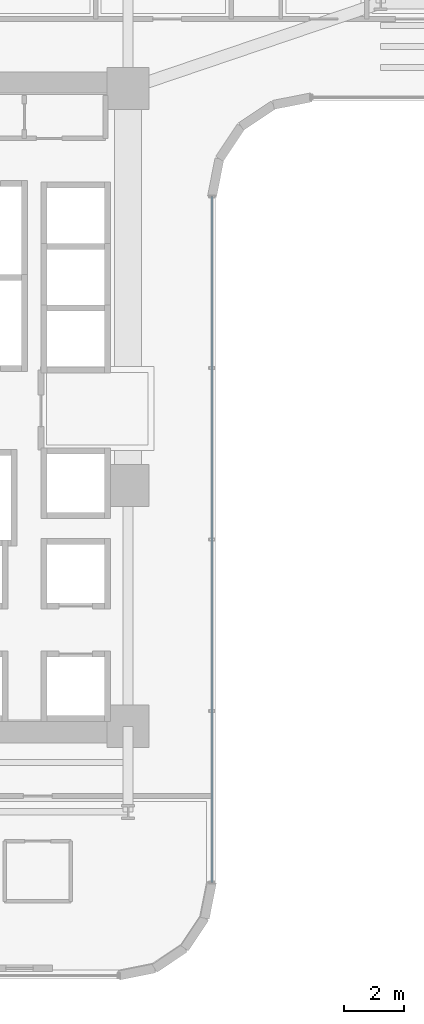
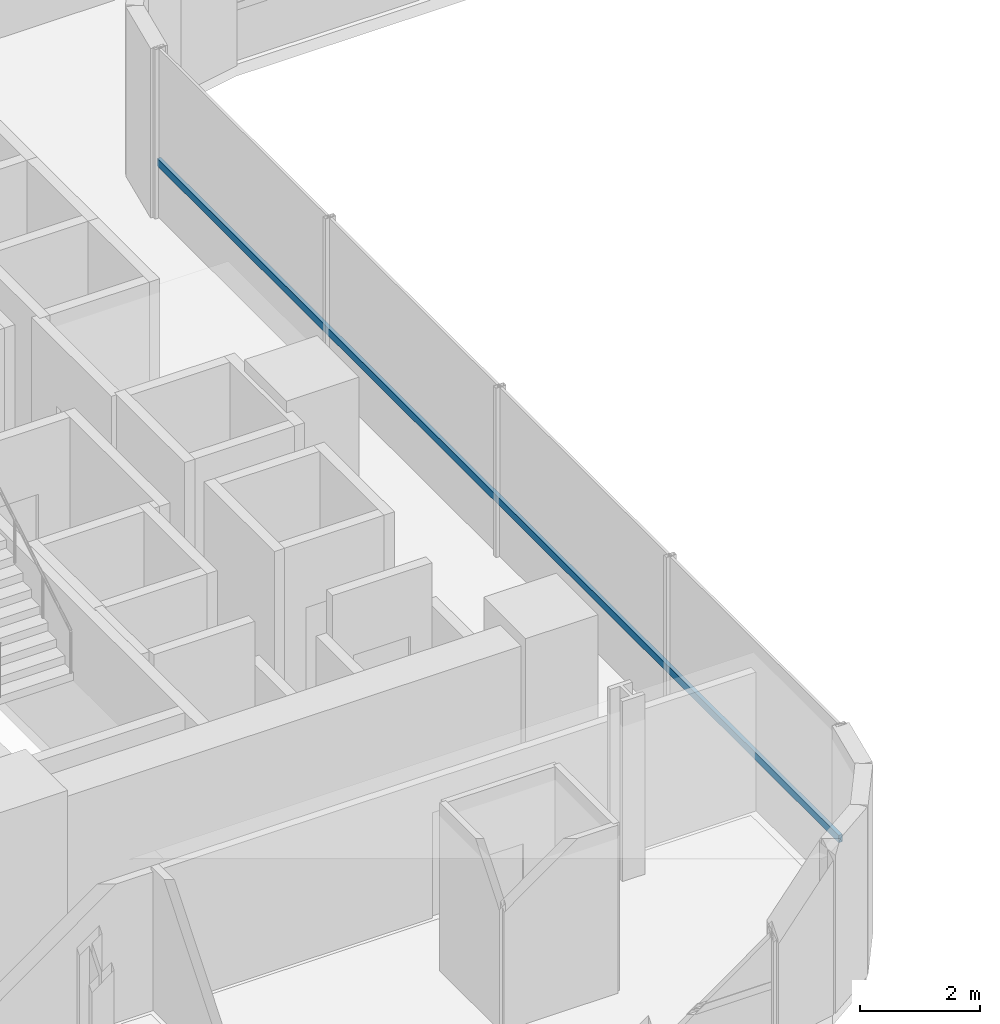
# One storey, part 7 of 42: 1 member, 1 element without a shape of its own.
"""IFC4 building model written with IfcOpenShell, lengths in metres."""

from ifc_helpers import new_model, si_unit, direction, frame, origin, origin_2d, place, context, subcontext, project, spatial, hollow_rectangle, extrude, source, transform, mapped, material, material_profile, profile_set, type_object, element, aggregate, save


model = new_model("IFC4")

# Units and contexts
model_context = context("Model", 3, precision=1e-05, world=origin(), true_north=direction((0.0, 1.0)))
body_context = subcontext(model_context, "Body", "Model", "MODEL_VIEW")
ifc_project = project(units=[si_unit("LENGTHUNIT", "METRE"), si_unit("AREAUNIT", "SQUARE_METRE"), si_unit("VOLUMEUNIT", "CUBIC_METRE"), si_unit("PLANEANGLEUNIT", "RADIAN"), si_unit("MASSUNIT", "GRAM", prefix="KILO")], contexts=[model_context])

# Site, building, storey
site_placement = place(None, origin())
site = spatial("IfcSite", under=ifc_project, at=site_placement, CompositionType="ELEMENT")
building_placement = place(site_placement, origin())
building = spatial("IfcBuilding", under=site, at=building_placement, Name="Valdorenza Pilgrim Sanctuary Tower", CompositionType="ELEMENT")
storey_placement = place(building_placement, frame((0.0, 0.0, 29.699951171875)))
storey = spatial("IfcBuildingStorey", under=building, at=storey_placement, Name="L06", CompositionType="ELEMENT", Elevation=29.699951171875)

# Curtain wall, member
ifc_material_1 = material(Name="Curtain-wall IGU glazing", Category="glass")
curtain_wall_type = type_object("IfcCurtainWallType", Name="CW-SYS-02", PredefinedType="NOTDEFINED", material=ifc_material_1)
curtain_wall_placement = place(storey_placement, origin())
curtain_wall = element("IfcCurtainWall", 1, at=curtain_wall_placement, inside=storey, type_object=curtain_wall_type, Name="L06 Curtain Wall CW-L06-1-41", PredefinedType="NOTDEFINED")
ifc_material_2 = material(Name="Anodised aluminium AW-6060", Category="aluminium")
ifc_material_profile = material_profile(ifc_material_2, hollow_rectangle(XDim=0.074951171875, YDim=0.14990234375, WallThickness=0.00390625, at=origin_2d()), Name="ALU-T 150x75x4")
ifc_profile_set = profile_set([ifc_material_profile], Name="Anodised aluminium AW-6060")
member_type = type_object("IfcMemberType", Name="CW-TRN-02", PredefinedType="USERDEFINED", material=ifc_profile_set)
shared_shape = source(origin(), body_context, "Body", "SweptSolid", [
    extrude(hollow_rectangle(XDim=0.074951171875, YDim=0.14990234375, WallThickness=0.00390625, at=origin_2d()), origin(), (0.0, 0.0, 1.0), 22.800048828125),
])
member_placement = place(storey_placement, frame((-9.610107421875, 7.0107421875, 1.1201171875), z_axis=(0.0, -1.0, 0.0), x_axis=(1.0, 0.0, 0.0)))
member = element("IfcMember", 2, at=member_placement, type_object=member_type, Name="CW-L06-1-41 Transom 1", ObjectType="TRANSOM", PredefinedType="USERDEFINED", context=body_context, shape_type="MappedRepresentation", body=[
    mapped(shared_shape, transform((0.0, 0.0, 0.0), x_axis=(1.0, 0.0, 0.0), y_axis=(0.0, 1.0, 0.0), z_axis=(0.0, 0.0, 1.0), scale=1.0)),
])
aggregate(curtain_wall, [member])

save(model, "model.ifc")
